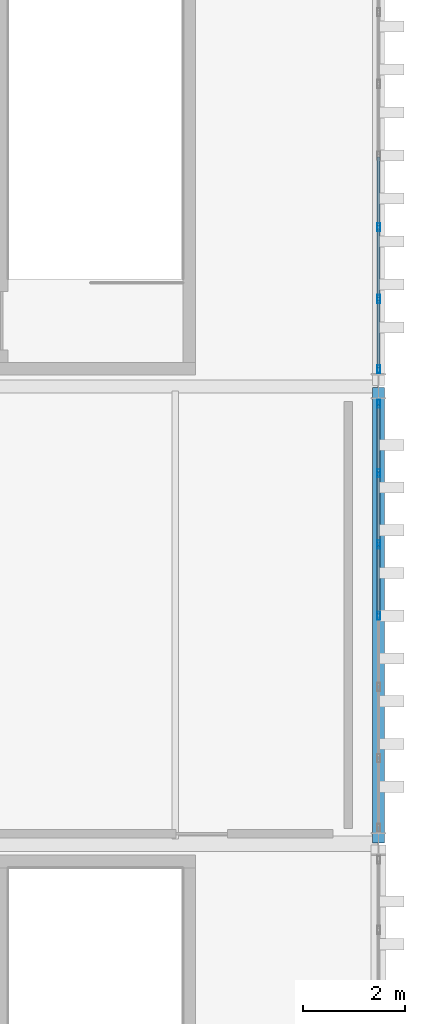
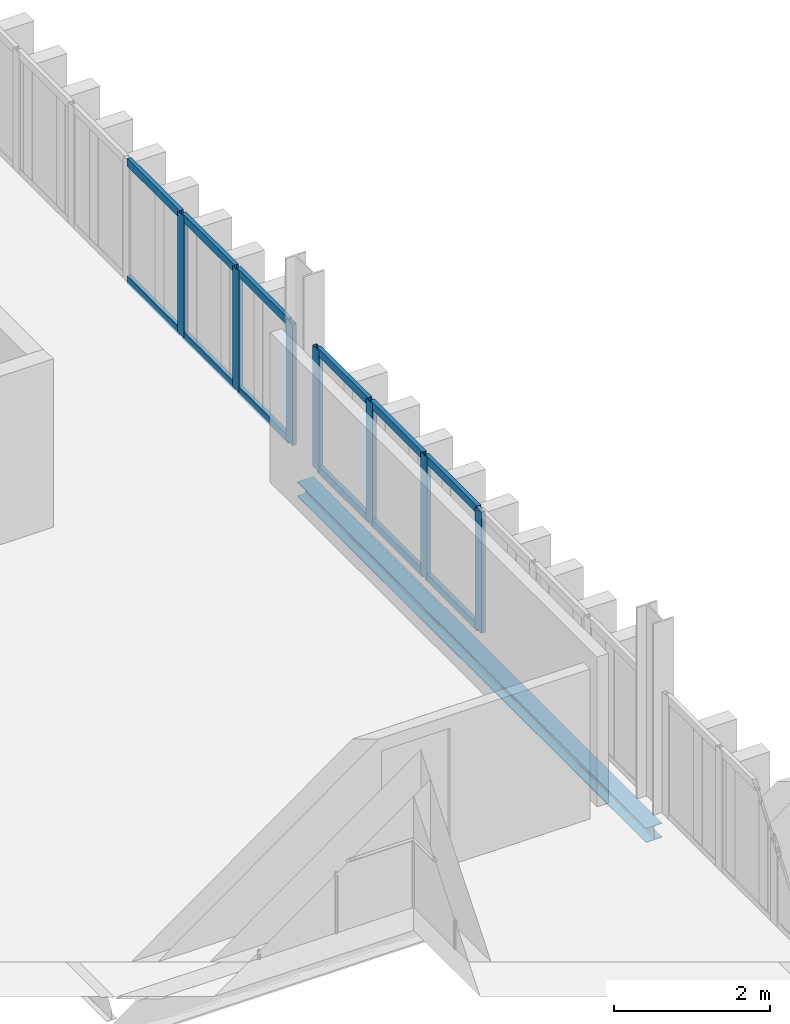
# One storey, part 46 of 58: 19 members, 1 beam, 2 elements without a shape of their own.
"""IFC4 building model written with IfcOpenShell, lengths in metres."""

import ifcopenshell
import ifcopenshell.guid

model = None  # the IFC model being written
_history = None  # IfcOwnerHistory: only IFC2X3 demands one
_inside = {}  # id of a spatial element -> (the spatial element, [elements in it])
_under = {}  # id of a project, library or spatial element -> (it, [spatial elements below it])
_declared = {}  # id of a project -> (the project, [libraries it declares])
_typed = {}  # id of a type object -> (the type object, [elements of that type])
_made_of = {}  # id of a material, layer set ... -> (it, [elements and type objects made of it])


def new_model(schema):
    """Start an empty IFC model of exactly this schema.

    Asked for "IFC4X3", IfcOpenShell would pick the latest addendum, in which some entities
    have other attributes; the version numbers below select the first issue.
    IFC2X3 requires an IfcOwnerHistory on every rooted entity: one is made here for all.
    """
    global model, _history
    if schema == "IFC4X3":
        model = ifcopenshell.file(schema_version=(4, 3, 0, 0))
    else:
        model = ifcopenshell.file(schema=schema)
    _inside.clear()
    _under.clear()
    _declared.clear()
    _typed.clear()
    _made_of.clear()
    _history = None
    if model.schema == "IFC2X3":
        org = make("IfcOrganization", Name="unknown")
        user = make(
            "IfcPersonAndOrganization",
            ThePerson=make("IfcPerson", FamilyName="unknown"),
            TheOrganization=org,
        )
        app = make(
            "IfcApplication",
            ApplicationDeveloper=org,
            Version="unknown",
            ApplicationFullName="unknown",
            ApplicationIdentifier="unknown",
        )
        _history = make(
            "IfcOwnerHistory",
            OwningUser=user,
            OwningApplication=app,
            ChangeAction="ADDED",
            CreationDate=0,
        )
    return model


def make(cls, **values):
    """One entity of the class cls with the attributes given. An attribute that is None is left unset."""
    return model.create_entity(
        cls, **{name: value for name, value in values.items() if value is not None}
    )


def rooted(cls, **values):
    """An entity with a GlobalId (a new one), such as an element, a storey or a relation."""
    return make(cls, GlobalId=ifcopenshell.guid.new(), OwnerHistory=_history, **values)


def si_unit(unit_type, name, prefix=None):
    """IfcSIUnit, for example si_unit("LENGTHUNIT", "METRE", prefix="MILLI")."""
    return make("IfcSIUnit", UnitType=unit_type, Prefix=prefix, Name=name)


def assignment(units):
    """IfcUnitAssignment: the units of a project."""
    return None if units is None else make("IfcUnitAssignment", Units=units)


def point(xyz):
    """IfcCartesianPoint."""
    return None if xyz is None else make("IfcCartesianPoint", Coordinates=xyz)


def direction(xyz):
    """IfcDirection."""
    return None if xyz is None else make("IfcDirection", DirectionRatios=xyz)


def frame(location, z_axis=None, x_axis=None):
    """IfcAxis2Placement3D, a coordinate frame: its origin and axes. An axis left out is left unset."""
    return make(
        "IfcAxis2Placement3D",
        Location=point(location),
        Axis=direction(z_axis),
        RefDirection=direction(x_axis),
    )


def frame_2d(location, x_axis=None):
    """IfcAxis2Placement2D, a coordinate frame in the plane: its origin and x axis."""
    return make(
        "IfcAxis2Placement2D", Location=point(location), RefDirection=direction(x_axis)
    )


def origin():
    """The frame at (0, 0, 0) with its axes left unset."""
    return frame((0.0, 0.0, 0.0))


def origin_2d():
    """The frame at (0, 0) in the plane with its x axis left unset."""
    return frame_2d((0.0, 0.0))


def place(relative_to, where):
    """IfcLocalPlacement: puts the frame where relative to a parent placement (None: the world)."""
    return make(
        "IfcLocalPlacement", PlacementRelTo=relative_to, RelativePlacement=where
    )


def context(
    kind, dimensions, precision=None, world=None, true_north=None, identifier=None
):
    """IfcGeometricRepresentationContext, for example the 3D "Model" context."""
    return make(
        "IfcGeometricRepresentationContext",
        ContextIdentifier=identifier,
        ContextType=kind,
        CoordinateSpaceDimension=dimensions,
        Precision=precision,
        WorldCoordinateSystem=world,
        TrueNorth=true_north,
    )


def subcontext(parent, identifier, kind, view, scale=None):
    """IfcGeometricRepresentationSubContext, for example "Body" below "Model"."""
    return make(
        "IfcGeometricRepresentationSubContext",
        ContextIdentifier=identifier,
        ContextType=kind,
        ParentContext=parent,
        TargetScale=scale,
        TargetView=view,
    )


def project(units=None, contexts=None):
    """IfcProject with its units and contexts."""
    return rooted(
        "IfcProject",
        Name="project",
        RepresentationContexts=contexts,
        UnitsInContext=assignment(units),
    )


def spatial(cls, under=None, at=None, **own):
    """A site, building, storey or space (cls), placed at a placement, below another one or the project."""
    s = rooted(cls, ObjectPlacement=at, **own)
    if under is not None:
        _under.setdefault(under.id(), (under, []))[1].append(s)
    return s


def profile(cls, at=None, kind="AREA", **sizes):
    """A parametric profile (cls). Its sizes go by their IFC names, for example OverallWidth=200.0."""
    return make(cls, ProfileType=kind, Position=at, **sizes)


def hollow_rectangle(**sizes):
    """IfcRectangleHollowProfileDef."""
    return profile("IfcRectangleHollowProfileDef", **sizes)


def i_section(**sizes):
    """IfcIShapeProfileDef."""
    return profile("IfcIShapeProfileDef", **sizes)


def extrude(swept, where, along, depth):
    """IfcExtrudedAreaSolid: the profile swept, set in the frame where, extruded along a direction by depth."""
    return make(
        "IfcExtrudedAreaSolid",
        SweptArea=swept,
        Position=where,
        ExtrudedDirection=direction(along),
        Depth=depth,
    )


def shape(context_of_items, identifier, shape_type, items):
    """IfcShapeRepresentation: the items that make up one representation, for example the "Body"."""
    return make(
        "IfcShapeRepresentation",
        ContextOfItems=context_of_items,
        RepresentationIdentifier=identifier,
        RepresentationType=shape_type,
        Items=items,
    )


def material(Name=None, Category=None):
    """IfcMaterial."""
    return make("IfcMaterial", Name=Name, Category=Category)


def layer(
    of_material, thickness, ventilated=None, Name=None, Category=None, Priority=None
):
    """IfcMaterialLayer: one layer of a wall or slab, of a material (None: an air gap)."""
    return make(
        "IfcMaterialLayer",
        Material=of_material,
        LayerThickness=thickness,
        IsVentilated=ventilated,
        Name=Name,
        Category=Category,
        Priority=Priority,
    )


def layer_set(layers, Name=None):
    """IfcMaterialLayerSet."""
    return make("IfcMaterialLayerSet", MaterialLayers=layers, LayerSetName=Name)


def material_profile(
    of_material, cross_section, Name=None, Category=None, Priority=None
):
    """IfcMaterialProfile: a cross section and its material."""
    return make(
        "IfcMaterialProfile",
        Name=Name,
        Material=of_material,
        Profile=cross_section,
        Priority=Priority,
        Category=Category,
    )


def profile_set(profiles, Name=None, composite=None):
    """IfcMaterialProfileSet."""
    return make(
        "IfcMaterialProfileSet",
        Name=Name,
        MaterialProfiles=profiles,
        CompositeProfile=composite,
    )


def made_of(thing, what):
    """Note that an element or type object is made of a material, layer set ...; save() writes the relation."""
    if what is not None:
        _made_of.setdefault(what.id(), (what, []))[1].append(thing)
    return thing


def type_object(cls, material=None, **own):
    """A type object (cls), such as IfcWallType, which elements share."""
    return made_of(rooted(cls, **own), material)


def element(
    cls,
    number,
    at=None,
    inside=None,
    cuts=None,
    type_object=None,
    material=None,
    context=None,
    identifier="Body",
    shape_type=None,
    held_by="IfcProductDefinitionShape",
    body=None,
    shapes=None,
    **own,
):
    """One element of the class cls, such as IfcWall. Its Tag is "e" and its number.

    at: its placement. inside: the storey or other place that contains it. cuts: it is an
    opening in that element (IfcRelVoidsElement). A single representation is given by context,
    identifier, shape_type and body (its items); several are given by shapes. held_by: the class
    of the entity that holds the representations. save() writes the other relations.
    """
    e = rooted(cls, Tag="e%d" % number, ObjectPlacement=at, **own)
    if body is not None:
        shapes = [shape(context, identifier, shape_type, body)]
    if shapes is not None:
        e.Representation = make(held_by, Representations=shapes)
    if inside is not None:
        _inside.setdefault(inside.id(), (inside, []))[1].append(e)
    if cuts is not None:
        rooted(
            "IfcRelVoidsElement", RelatingBuildingElement=cuts, RelatedOpeningElement=e
        )
    if type_object is not None:
        _typed.setdefault(type_object.id(), (type_object, []))[1].append(e)
    return made_of(e, material)


def aggregate(whole, parts):
    """IfcRelAggregates: a whole, such as a stair, and the parts it consists of."""
    return rooted("IfcRelAggregates", RelatingObject=whole, RelatedObjects=parts)


def save(model, path):
    """Write the relations noted so far, then the file.

    IfcRelAggregates (storeys below a building ...), IfcRelContainedInSpatialStructure (elements
    in a storey), IfcRelDefinesByType, IfcRelAssociatesMaterial and IfcRelDeclares: one each for
    every whole, place, type object, material and project.
    """
    for whole, parts in _under.values():
        aggregate(whole, parts)
    for where, things in _inside.values():
        rooted(
            "IfcRelContainedInSpatialStructure",
            RelatedElements=things,
            RelatingStructure=where,
        )
    for kind, things in _typed.values():
        rooted("IfcRelDefinesByType", RelatedObjects=things, RelatingType=kind)
    for what, things in _made_of.values():
        rooted("IfcRelAssociatesMaterial", RelatedObjects=things, RelatingMaterial=what)
    for by, libraries in _declared.values():
        rooted("IfcRelDeclares", RelatingContext=by, RelatedDefinitions=libraries)
    model.write(path)


model = new_model("IFC4")

# Units and contexts
model_context = context("Model", 3, precision=1e-05, world=origin(), true_north=direction((0.0, 1.0)))
body_context = subcontext(model_context, "Body", "Model", "MODEL_VIEW")
ifc_project = project(units=[si_unit("LENGTHUNIT", "METRE"), si_unit("AREAUNIT", "SQUARE_METRE"), si_unit("VOLUMEUNIT", "CUBIC_METRE"), si_unit("PLANEANGLEUNIT", "RADIAN"), si_unit("MASSUNIT", "GRAM", prefix="KILO")], contexts=[model_context])

# Site, building, storey
site_placement = place(None, origin())
site = spatial("IfcSite", under=ifc_project, at=site_placement, CompositionType="ELEMENT")
building_placement = place(site_placement, origin())
building = spatial("IfcBuilding", under=site, at=building_placement, Name="Barlavento Convention Centre", CompositionType="ELEMENT")
storey_placement = place(building_placement, frame((0.0, 0.0, 26.800048828125)))
storey = spatial("IfcBuildingStorey", under=building, at=storey_placement, Name="L05", CompositionType="ELEMENT", Elevation=26.800048828125)

# Curtain wall, members
ifc_material_1 = material(Name="Powder-coated aluminium and Low-E glass", Category="aluminium")
ifc_layer = layer(ifc_material_1, 0.18994140625)
ifc_layer_set = layer_set([ifc_layer], Name="ARC-CW-CONF-L05")
curtain_wall_type = type_object("IfcCurtainWallType", Name="ARC-CW-CONF-L05", PredefinedType="NOTDEFINED", material=ifc_layer_set)
curtain_wall_1_placement = place(storey_placement, origin())
curtain_wall_1 = element("IfcCurtainWall", 1, at=curtain_wall_1_placement, inside=storey, type_object=curtain_wall_type, Name="L05 unitised curtain wall CW10", PredefinedType="NOTDEFINED")
ifc_material_2 = material(Name="Powder-coated aluminium", Category="aluminium")
ifc_material_profile_1 = material_profile(ifc_material_2, hollow_rectangle(XDim=0.06005859375, YDim=0.159912109375, WallThickness=0.00390625, at=origin_2d()), Name="AL-MULL 60x160x4")
ifc_profile_set_1 = profile_set([ifc_material_profile_1], Name="Powder-coated aluminium")
member_type_1 = type_object("IfcMemberType", Name="ARC-CWM-60X160", PredefinedType="MULLION", material=ifc_profile_set_1)
member_1_placement = place(storey_placement, frame((192.0, 85.487548828125, 0.0), z_axis=(0.0, 0.0, 1.0), x_axis=(-1.0, 0.0, 0.0)))
member_1 = element("IfcMember", 2, at=member_1_placement, type_object=member_type_1, Name="CW10 mullion 4", PredefinedType="MULLION", context=body_context, shape_type="SweptSolid", body=[
    extrude(hollow_rectangle(XDim=0.06005859375, YDim=0.159912109375, WallThickness=0.00390625, at=origin_2d()), origin(), (0.0, 0.0, 1.0), 1.89990234375),
])
member_2_placement = place(storey_placement, frame((192.0, 86.888427734375, 0.0), z_axis=(0.0, 0.0, 1.0), x_axis=(-1.0, 0.0, 0.0)))
member_2 = element("IfcMember", 3, at=member_2_placement, type_object=member_type_1, Name="CW10 mullion 5", PredefinedType="MULLION", context=body_context, shape_type="SweptSolid", body=[
    extrude(hollow_rectangle(XDim=0.06005859375, YDim=0.159912109375, WallThickness=0.00390625, at=origin_2d()), origin(), (0.0, 0.0, 1.0), 1.89990234375),
])
member_3_placement = place(storey_placement, frame((192.0, 88.2890625, 0.0), z_axis=(0.0, 0.0, 1.0), x_axis=(-1.0, 0.0, 0.0)))
member_3 = element("IfcMember", 4, at=member_3_placement, type_object=member_type_1, Name="CW10 mullion 6", PredefinedType="MULLION", context=body_context, shape_type="SweptSolid", body=[
    extrude(hollow_rectangle(XDim=0.06005859375, YDim=0.159912109375, WallThickness=0.00390625, at=origin_2d()), origin(), (0.0, 0.0, 1.0), 1.89990234375),
])
member_4_placement = place(storey_placement, frame((192.0, 89.659912109375, 0.0), z_axis=(0.0, 0.0, 1.0), x_axis=(-1.0, 0.0, 0.0)))
member_4 = element("IfcMember", 5, at=member_4_placement, type_object=member_type_1, Name="CW10 mullion 7", PredefinedType="MULLION", context=body_context, shape_type="SweptSolid", body=[
    extrude(hollow_rectangle(XDim=0.06005859375, YDim=0.159912109375, WallThickness=0.00390625, at=origin_2d()), origin(), (0.0, 0.0, 1.0), 1.89990234375),
])

curtain_wall_2_placement = place(storey_placement, origin())
curtain_wall_2 = element("IfcCurtainWall", 6, at=curtain_wall_2_placement, inside=storey, type_object=curtain_wall_type, Name="L05 unitised curtain wall CW10", PredefinedType="NOTDEFINED")
member_5_placement = place(storey_placement, frame((192.0, 90.340087890625, 0.0), z_axis=(0.0, 0.0, 1.0), x_axis=(-1.0, 0.0, 0.0)))
member_5 = element("IfcMember", 7, at=member_5_placement, type_object=member_type_1, Name="CW10 mullion 1", PredefinedType="MULLION", context=body_context, shape_type="SweptSolid", body=[
    extrude(hollow_rectangle(XDim=0.06005859375, YDim=0.159912109375, WallThickness=0.00390625, at=origin_2d()), origin(), (0.0, 0.0, 1.0), 1.89990234375),
])
member_6_placement = place(storey_placement, frame((192.0, 91.719970703125, 0.0), z_axis=(0.0, 0.0, 1.0), x_axis=(-1.0, 0.0, 0.0)))
member_6 = element("IfcMember", 8, at=member_6_placement, type_object=member_type_1, Name="CW10 mullion 2", PredefinedType="MULLION", context=body_context, shape_type="SweptSolid", body=[
    extrude(hollow_rectangle(XDim=0.06005859375, YDim=0.159912109375, WallThickness=0.00390625, at=origin_2d()), origin(), (0.0, 0.0, 1.0), 1.89990234375),
])
member_7_placement = place(storey_placement, frame((192.0, 93.1298828125, 0.0), z_axis=(0.0, 0.0, 1.0), x_axis=(-1.0, 0.0, 0.0)))
member_7 = element("IfcMember", 9, at=member_7_placement, type_object=member_type_1, Name="CW10 mullion 3", PredefinedType="MULLION", context=body_context, shape_type="SweptSolid", body=[
    extrude(hollow_rectangle(XDim=0.06005859375, YDim=0.159912109375, WallThickness=0.00390625, at=origin_2d()), origin(), (0.0, 0.0, 1.0), 1.89990234375),
])

# Member
ifc_material_profile_2 = material_profile(ifc_material_2, hollow_rectangle(XDim=0.06005859375, YDim=0.1201171875, WallThickness=0.00390625, at=origin_2d()), Name="AL-TRAN 60x120x4")
ifc_profile_set_2 = profile_set([ifc_material_profile_2], Name="Powder-coated aluminium")
member_type_2 = type_object("IfcMemberType", Name="ARC-CWT-60X120", PredefinedType="USERDEFINED", material=ifc_profile_set_2)
member_8_placement = place(storey_placement, frame((192.0, 85.517578125, 0.030029296875), z_axis=(0.0, 1.0, 0.0), x_axis=(-1.0, 0.0, 0.0)))
member_8 = element("IfcMember", 10, at=member_8_placement, type_object=member_type_2, Name="CW10 transom 4.1", ObjectType="TRANSOM", PredefinedType="USERDEFINED", context=body_context, shape_type="SweptSolid", body=[
    extrude(hollow_rectangle(XDim=0.06005859375, YDim=0.1201171875, WallThickness=0.00390625, at=origin_2d()), origin(), (0.0, 0.0, 1.0), 1.3408203125),
])

member_9_placement = place(storey_placement, frame((192.0, 85.517578125, 1.869873046875), z_axis=(0.0, 1.0, 0.0), x_axis=(-1.0, 0.0, 0.0)))
member_9 = element("IfcMember", 11, at=member_9_placement, type_object=member_type_2, Name="CW10 transom 4.2", ObjectType="TRANSOM", PredefinedType="USERDEFINED", context=body_context, shape_type="SweptSolid", body=[
    extrude(hollow_rectangle(XDim=0.06005859375, YDim=0.1201171875, WallThickness=0.00390625, at=origin_2d()), origin(), (0.0, 0.0, 1.0), 1.3408203125),
])

member_10_placement = place(storey_placement, frame((192.0, 86.918212890625, 0.030029296875), z_axis=(0.0, 1.0, 0.0), x_axis=(-1.0, 0.0, 0.0)))
member_10 = element("IfcMember", 12, at=member_10_placement, type_object=member_type_2, Name="CW10 transom 5.1", ObjectType="TRANSOM", PredefinedType="USERDEFINED", context=body_context, shape_type="SweptSolid", body=[
    extrude(hollow_rectangle(XDim=0.06005859375, YDim=0.1201171875, WallThickness=0.00390625, at=origin_2d()), origin(), (0.0, 0.0, 1.0), 1.341064453125),
])

member_11_placement = place(storey_placement, frame((192.0, 86.918212890625, 1.869873046875), z_axis=(0.0, 1.0, 0.0), x_axis=(-1.0, 0.0, 0.0)))
member_11 = element("IfcMember", 13, at=member_11_placement, type_object=member_type_2, Name="CW10 transom 5.2", ObjectType="TRANSOM", PredefinedType="USERDEFINED", context=body_context, shape_type="SweptSolid", body=[
    extrude(hollow_rectangle(XDim=0.06005859375, YDim=0.1201171875, WallThickness=0.00390625, at=origin_2d()), origin(), (0.0, 0.0, 1.0), 1.341064453125),
])

member_12_placement = place(storey_placement, frame((192.0, 88.319091796875, 0.030029296875), z_axis=(0.0, 1.0, 0.0), x_axis=(-1.0, 0.0, 0.0)))
member_12 = element("IfcMember", 14, at=member_12_placement, type_object=member_type_2, Name="CW10 transom 6.1", ObjectType="TRANSOM", PredefinedType="USERDEFINED", context=body_context, shape_type="SweptSolid", body=[
    extrude(hollow_rectangle(XDim=0.06005859375, YDim=0.1201171875, WallThickness=0.00390625, at=origin_2d()), origin(), (0.0, 0.0, 1.0), 1.310791015625),
])

member_13_placement = place(storey_placement, frame((192.0, 88.319091796875, 1.869873046875), z_axis=(0.0, 1.0, 0.0), x_axis=(-1.0, 0.0, 0.0)))
member_13 = element("IfcMember", 15, at=member_13_placement, type_object=member_type_2, Name="CW10 transom 6.2", ObjectType="TRANSOM", PredefinedType="USERDEFINED", context=body_context, shape_type="SweptSolid", body=[
    extrude(hollow_rectangle(XDim=0.06005859375, YDim=0.1201171875, WallThickness=0.00390625, at=origin_2d()), origin(), (0.0, 0.0, 1.0), 1.310791015625),
])

aggregate(curtain_wall_1, [member_1, member_2, member_3, member_4, member_8, member_9, member_10, member_11, member_12, member_13])

member_14_placement = place(storey_placement, frame((192.0, 90.3701171875, 0.030029296875), z_axis=(0.0, 1.0, 0.0), x_axis=(-1.0, 0.0, 0.0)))
member_14 = element("IfcMember", 16, at=member_14_placement, type_object=member_type_2, Name="CW10 transom 1.1", ObjectType="TRANSOM", PredefinedType="USERDEFINED", context=body_context, shape_type="SweptSolid", body=[
    extrude(hollow_rectangle(XDim=0.06005859375, YDim=0.1201171875, WallThickness=0.00390625, at=origin_2d()), origin(), (0.0, 0.0, 1.0), 1.31982421875),
])

member_15_placement = place(storey_placement, frame((192.0, 90.3701171875, 1.869873046875), z_axis=(0.0, 1.0, 0.0), x_axis=(-1.0, 0.0, 0.0)))
member_15 = element("IfcMember", 17, at=member_15_placement, type_object=member_type_2, Name="CW10 transom 1.2", ObjectType="TRANSOM", PredefinedType="USERDEFINED", context=body_context, shape_type="SweptSolid", body=[
    extrude(hollow_rectangle(XDim=0.06005859375, YDim=0.1201171875, WallThickness=0.00390625, at=origin_2d()), origin(), (0.0, 0.0, 1.0), 1.31982421875),
])

member_16_placement = place(storey_placement, frame((192.0, 91.75, 0.030029296875), z_axis=(0.0, 1.0, 0.0), x_axis=(-1.0, 0.0, 0.0)))
member_16 = element("IfcMember", 18, at=member_16_placement, type_object=member_type_2, Name="CW10 transom 2.1", ObjectType="TRANSOM", PredefinedType="USERDEFINED", context=body_context, shape_type="SweptSolid", body=[
    extrude(hollow_rectangle(XDim=0.06005859375, YDim=0.1201171875, WallThickness=0.00390625, at=origin_2d()), origin(), (0.0, 0.0, 1.0), 1.35009765625),
])

member_17_placement = place(storey_placement, frame((192.0, 91.75, 1.869873046875), z_axis=(0.0, 1.0, 0.0), x_axis=(-1.0, 0.0, 0.0)))
member_17 = element("IfcMember", 19, at=member_17_placement, type_object=member_type_2, Name="CW10 transom 2.2", ObjectType="TRANSOM", PredefinedType="USERDEFINED", context=body_context, shape_type="SweptSolid", body=[
    extrude(hollow_rectangle(XDim=0.06005859375, YDim=0.1201171875, WallThickness=0.00390625, at=origin_2d()), origin(), (0.0, 0.0, 1.0), 1.35009765625),
])

member_18_placement = place(storey_placement, frame((192.0, 93.159912109375, 0.030029296875), z_axis=(0.0, 1.0, 0.0), x_axis=(-1.0, 0.0, 0.0)))
member_18 = element("IfcMember", 20, at=member_18_placement, type_object=member_type_2, Name="CW10 transom 3.1", ObjectType="TRANSOM", PredefinedType="USERDEFINED", context=body_context, shape_type="SweptSolid", body=[
    extrude(hollow_rectangle(XDim=0.06005859375, YDim=0.1201171875, WallThickness=0.00390625, at=origin_2d()), origin(), (0.0, 0.0, 1.0), 1.35009765625),
])

member_19_placement = place(storey_placement, frame((192.0, 93.159912109375, 1.869873046875), z_axis=(0.0, 1.0, 0.0), x_axis=(-1.0, 0.0, 0.0)))
member_19 = element("IfcMember", 21, at=member_19_placement, type_object=member_type_2, Name="CW10 transom 3.2", ObjectType="TRANSOM", PredefinedType="USERDEFINED", context=body_context, shape_type="SweptSolid", body=[
    extrude(hollow_rectangle(XDim=0.06005859375, YDim=0.1201171875, WallThickness=0.00390625, at=origin_2d()), origin(), (0.0, 0.0, 1.0), 1.35009765625),
])

aggregate(curtain_wall_2, [member_5, member_6, member_7, member_14, member_15, member_16, member_17, member_18, member_19])

# Beam
ifc_material_3 = material(Name="Steel S355", Category="steel")
ifc_material_profile_3 = material_profile(ifc_material_3, i_section(OverallWidth=0.239990234375, OverallDepth=0.22998046875, WebThickness=0.007568359375, FlangeThickness=0.011962890625, FilletRadius=0.02099609375, at=origin_2d()), Name="HEA 240")
ifc_profile_set_3 = profile_set([ifc_material_profile_3], Name="Steel S355")
beam_type = type_object("IfcBeamType", Name="STR-BM-SPN-HEA240", PredefinedType="SPANDREL", material=ifc_profile_set_3)
beam_placement = place(storey_placement, frame((192.0, 81.02001953125, -0.47509765625), z_axis=(0.0, 1.0, 0.0), x_axis=(-1.0, 0.0, 0.0)))
element("IfcBeam", 22, at=beam_placement, inside=storey, type_object=beam_type, Name="L05 grid girder SP05", PredefinedType="SPANDREL", context=body_context, shape_type="SweptSolid", body=[
    extrude(i_section(OverallWidth=0.239990234375, OverallDepth=0.22998046875, WebThickness=0.007568359375, FlangeThickness=0.011962890625, FilletRadius=0.02099609375, at=origin_2d()), origin(), (0.0, 0.0, 1.0), 8.9599609375),
])

save(model, "model.ifc")
